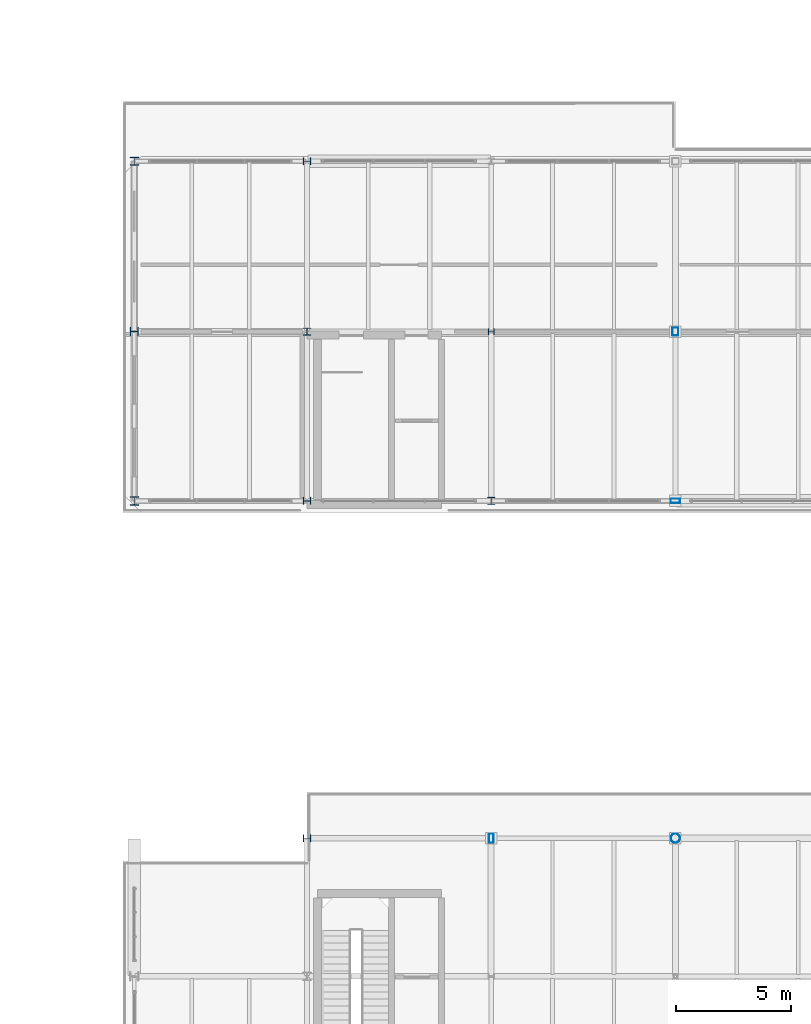
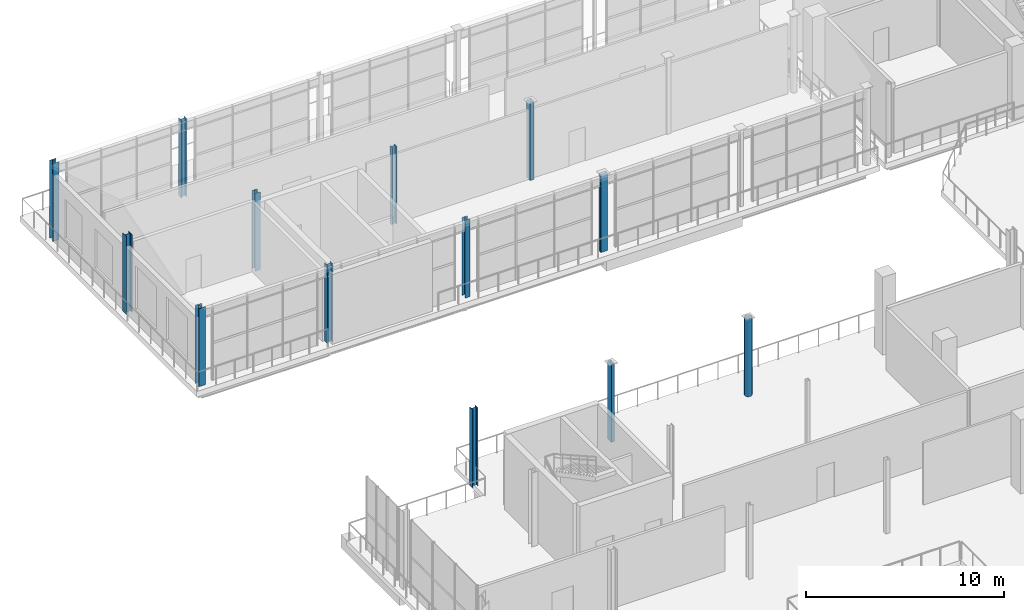
# One storey, part 18 of 93: 13 columns.
"""IFC4 building model written with IfcOpenShell, lengths in metres."""

from ifc_helpers import new_model, si_unit, direction, frame, origin, origin_2d, place, context, subcontext, project, spatial, hollow_rectangle, hollow_circle, i_section, extrude, material, material_profile, profile_set, type_object, element, save


model = new_model("IFC4")

# Units and contexts
model_context = context("Model", 3, precision=1e-05, world=origin(), true_north=direction((0.0, 1.0)))
body_context = subcontext(model_context, "Body", "Model", "MODEL_VIEW")
ifc_project = project(units=[si_unit("LENGTHUNIT", "METRE"), si_unit("AREAUNIT", "SQUARE_METRE"), si_unit("VOLUMEUNIT", "CUBIC_METRE"), si_unit("PLANEANGLEUNIT", "RADIAN"), si_unit("MASSUNIT", "GRAM", prefix="KILO")], contexts=[model_context])

# Site, building, storey
site_placement = place(None, origin())
site = spatial("IfcSite", under=ifc_project, at=site_placement, CompositionType="ELEMENT")
building_placement = place(site_placement, origin())
building = spatial("IfcBuilding", under=site, at=building_placement, Name="Brisemont Oceanarium", CompositionType="ELEMENT")
storey_placement = place(building_placement, frame((0.0, 0.0, 5.39990234375)))
storey = spatial("IfcBuildingStorey", under=building, at=storey_placement, Name="L01", CompositionType="ELEMENT", Elevation=5.39990234375)

# Columns
ifc_material_1 = material(Name="Structural Steel ASTM A500 Gr.C", Category="steel")
ifc_material_profile_1 = material_profile(ifc_material_1, hollow_circle(Radius=0.202880859375, WallThickness=0.01171875, at=origin_2d()), Name="HSS16.000X0.500")
ifc_profile_set_1 = profile_set([ifc_material_profile_1], Name="Structural Steel ASTM A500 Gr.C")
column_type_1 = type_object("IfcColumnType", Name="COL-CHS16", PredefinedType="COLUMN", material=ifc_profile_set_1)
column_1_placement = place(storey_placement, frame((40.0, 66.0, 0.0), z_axis=(0.0, 0.0, 1.0), x_axis=(0.0, 1.0, 0.0)))
element("IfcColumn", 1, at=column_1_placement, inside=storey, type_object=column_type_1, Name="V5W L01 column (3,4)", PredefinedType="COLUMN", context=body_context, shape_type="SweptSolid", body=[
    extrude(hollow_circle(Radius=0.202880859375, WallThickness=0.01171875, at=origin_2d()), origin(), (0.0, 0.0, 1.0), 4.800048828125),
])
ifc_material_2 = material(Name="Structural Steel ASTM A500 Gr.C", Category="steel")
ifc_material_profile_2 = material_profile(ifc_material_2, hollow_rectangle(XDim=0.25390625, YDim=0.35595703125, WallThickness=0.01171875, InnerFilletRadius=0.01220703125, OuterFilletRadius=0.02392578125, at=origin_2d()), Name="HSS14X10X1/2")
ifc_profile_set_2 = profile_set([ifc_material_profile_2], Name="Structural Steel ASTM A500 Gr.C")
column_type_2 = type_object("IfcColumnType", Name="COL-HSS14X10", PredefinedType="COLUMN", material=ifc_profile_set_2)
column_2_placement = place(storey_placement, frame((40.0, 88.0, 0.0), z_axis=(0.0, 0.0, 1.0), x_axis=(1.0, 0.0, 0.0)))
element("IfcColumn", 2, at=column_2_placement, inside=storey, type_object=column_type_2, Name="V7W L01 column (3,1)", PredefinedType="COLUMN", context=body_context, shape_type="SweptSolid", body=[
    extrude(hollow_rectangle(XDim=0.25390625, YDim=0.35595703125, WallThickness=0.01171875, InnerFilletRadius=0.01220703125, OuterFilletRadius=0.02392578125, at=origin_2d()), origin(), (0.0, 0.0, 1.0), 4.800048828125),
])
ifc_material_3 = material(Name="Structural Steel ASTM A500 Gr.C", Category="steel")
ifc_material_profile_3 = material_profile(ifc_material_3, hollow_rectangle(XDim=0.202880859375, YDim=0.406005859375, WallThickness=0.01171875, InnerFilletRadius=0.01220703125, OuterFilletRadius=0.02392578125, at=origin_2d()), Name="HSS16X8X1/2")
ifc_profile_set_3 = profile_set([ifc_material_profile_3], Name="Structural Steel ASTM A500 Gr.C")
column_type_3 = type_object("IfcColumnType", Name="COL-HSS16X8", PredefinedType="COLUMN", material=ifc_profile_set_3)
for number, where, z_axis, x_axis, name in (
    (3, (32.0, 66.0, 0.0), (0.0, 0.0, 1.0), (1.0, 0.0, 0.0), "V5W L01 column (2,4)"),
    (4, (40.0, 80.64990234375, 0.0), (0.0, 0.0, 1.0), (0.0, 1.0, 0.0), "V7W L01 column (3,0)"),
):
    element("IfcColumn", number, at=place(storey_placement, frame(where, z_axis=z_axis, x_axis=x_axis)), inside=storey, type_object=column_type_3, Name=name, PredefinedType="COLUMN", context=body_context, shape_type="SweptSolid", body=[
        extrude(hollow_rectangle(XDim=0.202880859375, YDim=0.406005859375, WallThickness=0.01171875, InnerFilletRadius=0.01220703125, OuterFilletRadius=0.02392578125, at=origin_2d()), origin(), (0.0, 0.0, 1.0), 4.800048828125),
    ])
ifc_material_4 = material(Name="Structural Steel ASTM A992 Gr.50", Category="steel")
ifc_material_profile_4 = material_profile(ifc_material_4, i_section(OverallWidth=0.256103515625, OverallDepth=0.260009765625, WebThickness=0.0107421875, FlangeThickness=0.017333984375, FilletRadius=0.010986328125, at=origin_2d()), Name="W10X60")
ifc_profile_set_4 = profile_set([ifc_material_profile_4], Name="Structural Steel ASTM A992 Gr.50")
column_type_4 = type_object("IfcColumnType", Name="COL-W10X60", PredefinedType="COLUMN", material=ifc_profile_set_4)
column_3_placement = place(storey_placement, frame((32.0, 88.0, 0.0), z_axis=(0.0, 0.0, 1.0), x_axis=(0.0, 1.0, 0.0)))
element("IfcColumn", 5, at=column_3_placement, inside=storey, type_object=column_type_4, Name="V7W L01 column (2,1)", PredefinedType="COLUMN", context=body_context, shape_type="SweptSolid", body=[
    extrude(i_section(OverallWidth=0.256103515625, OverallDepth=0.260009765625, WebThickness=0.0107421875, FlangeThickness=0.017333984375, FilletRadius=0.010986328125, at=origin_2d()), origin(), (0.0, 0.0, 1.0), 4.800048828125),
])
ifc_material_5 = material(Name="Structural Steel ASTM A992 Gr.50", Category="steel")
ifc_material_profile_5 = material_profile(ifc_material_5, i_section(OverallWidth=0.304931640625, OverallDepth=0.306884765625, WebThickness=0.010009765625, FlangeThickness=0.015380859375, FilletRadius=0.012939453125, at=origin_2d()), Name="W12X65")
ifc_profile_set_5 = profile_set([ifc_material_profile_5], Name="Structural Steel ASTM A992 Gr.50")
column_type_5 = type_object("IfcColumnType", Name="COL-W12X65", PredefinedType="COLUMN", material=ifc_profile_set_5)
column_4_placement = place(storey_placement, frame((32.0, 80.64990234375, 0.0), z_axis=(0.0, 0.0, 1.0), x_axis=(1.0, 0.0, 0.0)))
element("IfcColumn", 6, at=column_4_placement, inside=storey, type_object=column_type_5, Name="V7W L01 column (2,0)", PredefinedType="COLUMN", context=body_context, shape_type="SweptSolid", body=[
    extrude(i_section(OverallWidth=0.304931640625, OverallDepth=0.306884765625, WebThickness=0.010009765625, FlangeThickness=0.015380859375, FilletRadius=0.012939453125, at=origin_2d()), origin(), (0.0, 0.0, 1.0), 4.800048828125),
])
ifc_material_6 = material(Name="Structural Steel ASTM A992 Gr.50", Category="steel")
ifc_material_profile_6 = material_profile(ifc_material_6, i_section(OverallWidth=0.305908203125, OverallDepth=0.31103515625, WebThickness=0.010986328125, FlangeThickness=0.01708984375, FilletRadius=0.012939453125, at=origin_2d()), Name="W12X72")
ifc_profile_set_6 = profile_set([ifc_material_profile_6], Name="Structural Steel ASTM A992 Gr.50")
column_type_6 = type_object("IfcColumnType", Name="COL-W12X72", PredefinedType="COLUMN", material=ifc_profile_set_6)
column_5_placement = place(storey_placement, frame((24.0, 95.39990234375, 0.0), z_axis=(0.0, 0.0, 1.0), x_axis=(0.0, 1.0, 0.0)))
element("IfcColumn", 7, at=column_5_placement, inside=storey, type_object=column_type_6, Name="V7W L01 column (1,2)", PredefinedType="COLUMN", context=body_context, shape_type="SweptSolid", body=[
    extrude(i_section(OverallWidth=0.305908203125, OverallDepth=0.31103515625, WebThickness=0.010986328125, FlangeThickness=0.01708984375, FilletRadius=0.012939453125, at=origin_2d()), origin(), (0.0, 0.0, 1.0), 4.800048828125),
])
ifc_material_7 = material(Name="Structural Steel ASTM A992 Gr.50", Category="steel")
ifc_material_profile_7 = material_profile(ifc_material_7, i_section(OverallWidth=0.306884765625, OverallDepth=0.31494140625, WebThickness=0.011962890625, FlangeThickness=0.018798828125, FilletRadius=0.012939453125, at=origin_2d()), Name="W12X79")
ifc_profile_set_7 = profile_set([ifc_material_profile_7], Name="Structural Steel ASTM A992 Gr.50")
column_type_7 = type_object("IfcColumnType", Name="COL-W12X79", PredefinedType="COLUMN", material=ifc_profile_set_7)
column_6_placement = place(storey_placement, frame((24.0, 88.0, 0.0), z_axis=(0.0, 0.0, 1.0), x_axis=(1.0, 0.0, 0.0)))
element("IfcColumn", 8, at=column_6_placement, inside=storey, type_object=column_type_7, Name="V7W L01 column (1,1)", PredefinedType="COLUMN", context=body_context, shape_type="SweptSolid", body=[
    extrude(i_section(OverallWidth=0.306884765625, OverallDepth=0.31494140625, WebThickness=0.011962890625, FlangeThickness=0.018798828125, FilletRadius=0.012939453125, at=origin_2d()), origin(), (0.0, 0.0, 1.0), 4.800048828125),
])
ifc_material_8 = material(Name="Structural Steel ASTM A992 Gr.50", Category="steel")
ifc_material_profile_8 = material_profile(ifc_material_8, i_section(OverallWidth=0.30810546875, OverallDepth=0.318115234375, WebThickness=0.01318359375, FlangeThickness=0.0205078125, FilletRadius=0.012939453125, at=origin_2d()), Name="W12X87")
ifc_profile_set_8 = profile_set([ifc_material_profile_8], Name="Structural Steel ASTM A992 Gr.50")
column_type_8 = type_object("IfcColumnType", Name="COL-W12X87", PredefinedType="COLUMN", material=ifc_profile_set_8)
for number, where, z_axis, x_axis, name in (
    (9, (24.0, 66.0, 0.0), (0.0, 0.0, 1.0), (0.0, 1.0, 0.0), "V5W L01 column (1,4)"),
    (10, (24.0, 80.64990234375, 0.0), (0.0, 0.0, 1.0), (0.0, 1.0, 0.0), "V7W L01 column (1,0)"),
):
    element("IfcColumn", number, at=place(storey_placement, frame(where, z_axis=z_axis, x_axis=x_axis)), inside=storey, type_object=column_type_8, Name=name, PredefinedType="COLUMN", context=body_context, shape_type="SweptSolid", body=[
        extrude(i_section(OverallWidth=0.30810546875, OverallDepth=0.318115234375, WebThickness=0.01318359375, FlangeThickness=0.0205078125, FilletRadius=0.012939453125, at=origin_2d()), origin(), (0.0, 0.0, 1.0), 4.800048828125),
    ])
ifc_material_9 = material(Name="Structural Steel ASTM A992 Gr.50", Category="steel")
ifc_material_profile_9 = material_profile(ifc_material_9, i_section(OverallWidth=0.37109375, OverallDepth=0.364013671875, WebThickness=0.01318359375, FlangeThickness=0.021728515625, FilletRadius=0.014892578125, at=origin_2d()), Name="W14X109")
ifc_profile_set_9 = profile_set([ifc_material_profile_9], Name="Structural Steel ASTM A992 Gr.50")
column_type_9 = type_object("IfcColumnType", Name="COL-W14X109", PredefinedType="COLUMN", material=ifc_profile_set_9)
column_7_placement = place(storey_placement, frame((16.5, 80.64990234375, 0.0), z_axis=(0.0, 0.0, 1.0), x_axis=(1.0, 0.0, 0.0)))
element("IfcColumn", 11, at=column_7_placement, inside=storey, type_object=column_type_9, Name="V7W L01 column (0,0)", PredefinedType="COLUMN", context=body_context, shape_type="SweptSolid", body=[
    extrude(i_section(OverallWidth=0.37109375, OverallDepth=0.364013671875, WebThickness=0.01318359375, FlangeThickness=0.021728515625, FilletRadius=0.014892578125, at=origin_2d()), origin(), (0.0, 0.0, 1.0), 4.800048828125),
])
ifc_material_10 = material(Name="Structural Steel ASTM A992 Gr.50", Category="steel")
ifc_material_profile_10 = material_profile(ifc_material_10, i_section(OverallWidth=0.367919921875, OverallDepth=0.35595703125, WebThickness=0.01123046875, FlangeThickness=0.01806640625, FilletRadius=0.014892578125, at=origin_2d()), Name="W14X90")
ifc_profile_set_10 = profile_set([ifc_material_profile_10], Name="Structural Steel ASTM A992 Gr.50")
column_type_10 = type_object("IfcColumnType", Name="COL-W14X90", PredefinedType="COLUMN", material=ifc_profile_set_10)
column_8_placement = place(storey_placement, frame((16.5, 95.39990234375, 0.0), z_axis=(0.0, 0.0, 1.0), x_axis=(1.0, 0.0, 0.0)))
element("IfcColumn", 12, at=column_8_placement, inside=storey, type_object=column_type_10, Name="V7W L01 column (0,2)", PredefinedType="COLUMN", context=body_context, shape_type="SweptSolid", body=[
    extrude(i_section(OverallWidth=0.367919921875, OverallDepth=0.35595703125, WebThickness=0.01123046875, FlangeThickness=0.01806640625, FilletRadius=0.014892578125, at=origin_2d()), origin(), (0.0, 0.0, 1.0), 4.800048828125),
])
ifc_material_11 = material(Name="Structural Steel ASTM A992 Gr.50", Category="steel")
ifc_material_profile_11 = material_profile(ifc_material_11, i_section(OverallWidth=0.37109375, OverallDepth=0.361083984375, WebThickness=0.01220703125, FlangeThickness=0.019775390625, FilletRadius=0.014892578125, at=origin_2d()), Name="W14X99")
ifc_profile_set_11 = profile_set([ifc_material_profile_11], Name="Structural Steel ASTM A992 Gr.50")
column_type_11 = type_object("IfcColumnType", Name="COL-W14X99", PredefinedType="COLUMN", material=ifc_profile_set_11)
column_9_placement = place(storey_placement, frame((16.5, 88.0, 0.0), z_axis=(0.0, 0.0, 1.0), x_axis=(0.0, 1.0, 0.0)))
element("IfcColumn", 13, at=column_9_placement, inside=storey, type_object=column_type_11, Name="V7W L01 column (0,1)", PredefinedType="COLUMN", context=body_context, shape_type="SweptSolid", body=[
    extrude(i_section(OverallWidth=0.37109375, OverallDepth=0.361083984375, WebThickness=0.01220703125, FlangeThickness=0.019775390625, FilletRadius=0.014892578125, at=origin_2d()), origin(), (0.0, 0.0, 1.0), 4.800048828125),
])

save(model, "model.ifc")
